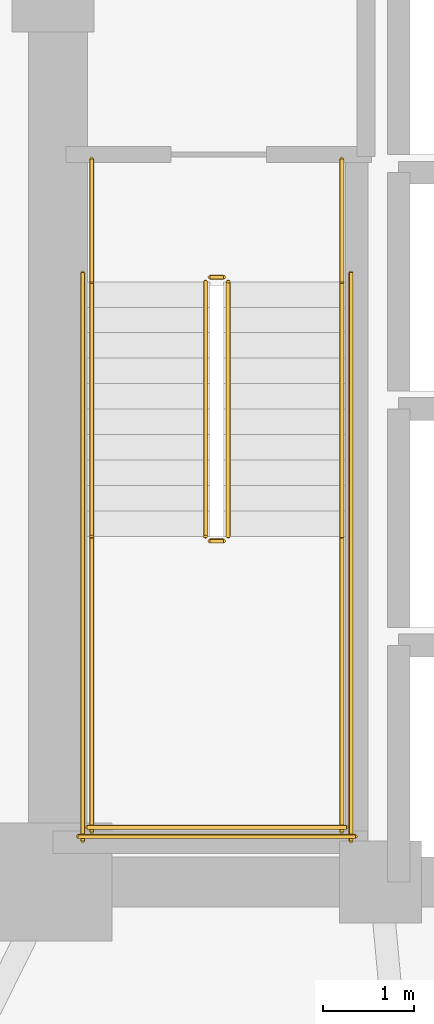
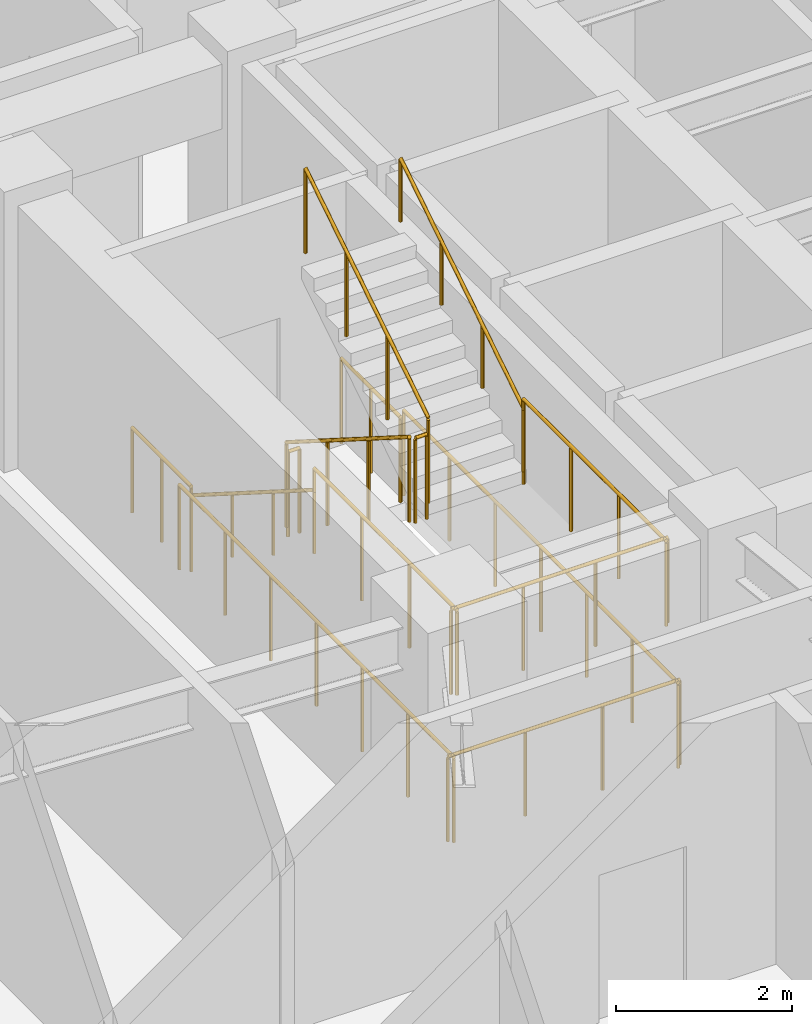
# One storey, part 11 of 12: 14 railings.
"""IFC4 building model written with IfcOpenShell, lengths in metres."""

from ifc_helpers import new_model, si_unit, direction, frame, origin, origin_2d, place, context, subcontext, project, spatial, circle, extrude, material, type_object, element, save


model = new_model("IFC4")

# Units and contexts
model_context = context("Model", 3, precision=1e-05, world=origin(), true_north=direction((0.0, 1.0)))
body_context = subcontext(model_context, "Body", "Model", "MODEL_VIEW")
ifc_project = project(units=[si_unit("LENGTHUNIT", "METRE"), si_unit("AREAUNIT", "SQUARE_METRE"), si_unit("VOLUMEUNIT", "CUBIC_METRE"), si_unit("PLANEANGLEUNIT", "RADIAN"), si_unit("MASSUNIT", "GRAM", prefix="KILO")], contexts=[model_context])

# Site, building, storey
site_placement = place(None, origin())
site = spatial("IfcSite", under=ifc_project, at=site_placement, CompositionType="ELEMENT")
building_placement = place(site_placement, origin())
building = spatial("IfcBuilding", under=site, at=building_placement, Name="Voryun Gate Residences", CompositionType="ELEMENT")
storey_placement = place(building_placement, frame((0.0, 0.0, 132.60009765625)))
storey = spatial("IfcBuildingStorey", under=building, at=storey_placement, Name="L32", CompositionType="ELEMENT", Elevation=132.60009765625)

# Railings
ifc_material_1 = material(Name="Painted steel", Category="steel")
railing_type_1 = type_object("IfcRailingType", Name="RAIL_STAIR_GUARD_1200", PredefinedType="GUARDRAIL", material=ifc_material_1)
railing_1_placement = place(storey_placement, frame((-17.52490234375, -0.800048828125, 0.17724609375)))
element("IfcRailing", 1, at=railing_1_placement, inside=storey, type_object=railing_type_1, Name="L32 ST-W1 stair guard 1", PredefinedType="GUARDRAIL", context=body_context, shape_type="SweptSolid", body=[
    extrude(circle(Radius=0.02392578125, at=origin_2d()), frame((0.0, 0.0, 1.17578125), z_axis=(0.0, -0.844908973607, 0.534910110503), x_axis=(1.0, 0.0, 0.0)), (0.0, 0.0, 1.0), 3.31396484375),
    extrude(circle(Radius=0.02099609375, at=origin_2d()), origin(), (0.0, 0.0, 1.0), 1.15185546875),
    extrude(circle(Radius=0.02099609375, at=origin_2d()), frame((0.0, -0.933349609375, 0.5908203125)), (0.0, 0.0, 1.0), 1.15185546875),
    extrude(circle(Radius=0.02099609375, at=origin_2d()), frame((0.0, -1.86669921875, 1.181884765625)), (0.0, 0.0, 1.0), 1.15185546875),
    extrude(circle(Radius=0.02099609375, at=origin_2d()), frame((0.0, -2.800048828125, 1.772705078125)), (0.0, 0.0, 1.0), 1.15185546875),
])
railing_2_placement = place(storey_placement, frame((-17.47509765625, -3.64990234375, 1.949951171875)))
element("IfcRailing", 2, at=railing_2_placement, inside=storey, type_object=railing_type_1, Name="L32 ST-W1 stair guard 2", PredefinedType="GUARDRAIL", context=body_context, shape_type="SweptSolid", body=[
    extrude(circle(Radius=0.02392578125, at=origin_2d()), frame((0.0, 0.0, 1.17578125), z_axis=(1.0, 0.0, 0.0), x_axis=(0.0, 1.0, 0.0)), (0.0, 0.0, 1.0), 0.150146484375),
    extrude(circle(Radius=0.02099609375, at=origin_2d()), origin(), (0.0, 0.0, 1.0), 1.15185546875),
    extrude(circle(Radius=0.02099609375, at=origin_2d()), frame((0.150146484375, 0.0, 0.0)), (0.0, 0.0, 1.0), 1.15185546875),
])
for number, where, name in (
    (3, (-18.77490234375, -3.60009765625, 1.949951171875), "L32 ST-W1 stair guard 3"),
    (4, (-16.02490234375, -3.60009765625, 1.949951171875), "L32 ST-W1 stair guard 4"),
):
    element("IfcRailing", number, at=place(storey_placement, frame(where)), inside=storey, type_object=railing_type_1, Name=name, PredefinedType="GUARDRAIL", context=body_context, shape_type="SweptSolid", body=[
        extrude(circle(Radius=0.02392578125, at=origin_2d()), frame((0.0, 0.0, 1.17578125), z_axis=(0.0, -1.0, 0.0), x_axis=(1.0, 0.0, 0.0)), (0.0, 0.0, 1.0), 3.25),
        extrude(circle(Radius=0.02099609375, at=origin_2d()), origin(), (0.0, 0.0, 1.0), 1.15185546875),
        extrude(circle(Radius=0.02099609375, at=origin_2d()), frame((0.0, -1.083251953125, 0.0)), (0.0, 0.0, 1.0), 1.15185546875),
        extrude(circle(Radius=0.02099609375, at=origin_2d()), frame((0.0, -2.166748046875, 0.0)), (0.0, 0.0, 1.0), 1.15185546875),
        extrude(circle(Radius=0.02099609375, at=origin_2d()), frame((0.0, -3.25, 0.0)), (0.0, 0.0, 1.0), 1.15185546875),
    ])
railing_3_placement = place(storey_placement, frame((-18.824951171875, -6.800048828125, 1.949951171875)))
element("IfcRailing", 5, at=railing_3_placement, inside=storey, type_object=railing_type_1, Name="L32 ST-W1 stair guard 5", PredefinedType="GUARDRAIL", context=body_context, shape_type="SweptSolid", body=[
    extrude(circle(Radius=0.02392578125, at=origin_2d()), frame((0.0, 0.0, 1.17578125), z_axis=(1.0, 0.0, 0.0), x_axis=(0.0, 1.0, 0.0)), (0.0, 0.0, 1.0), 2.849853515625),
    extrude(circle(Radius=0.02099609375, at=origin_2d()), origin(), (0.0, 0.0, 1.0), 1.15185546875),
    extrude(circle(Radius=0.02099609375, at=origin_2d()), frame((0.949951171875, 0.0, 0.0)), (0.0, 0.0, 1.0), 1.15185546875),
    extrude(circle(Radius=0.02099609375, at=origin_2d()), frame((1.89990234375, 0.0, 0.0)), (0.0, 0.0, 1.0), 1.15185546875),
    extrude(circle(Radius=0.02099609375, at=origin_2d()), frame((2.849853515625, 0.0, 0.0)), (0.0, 0.0, 1.0), 1.15185546875),
])
railing_4_placement = place(storey_placement, frame((-17.27490234375, -3.60009765625, 2.127197265625)))
element("IfcRailing", 6, at=railing_4_placement, inside=storey, type_object=railing_type_1, Name="L32 ST-W1 stair guard 6", PredefinedType="GUARDRAIL", context=body_context, shape_type="SweptSolid", body=[
    extrude(circle(Radius=0.02392578125, at=origin_2d()), frame((0.0, 0.0, 1.17578125), z_axis=(0.0, 0.844908973607, 0.534910110503), x_axis=(-1.0, 0.0, 0.0)), (0.0, 0.0, 1.0), 3.31396484375),
    extrude(circle(Radius=0.02099609375, at=origin_2d()), origin(), (0.0, 0.0, 1.0), 1.15185546875),
    extrude(circle(Radius=0.02099609375, at=origin_2d()), frame((0.0, 0.933349609375, 0.5908203125)), (0.0, 0.0, 1.0), 1.15185546875),
    extrude(circle(Radius=0.02099609375, at=origin_2d()), frame((0.0, 1.86669921875, 1.181884765625)), (0.0, 0.0, 1.0), 1.15185546875),
    extrude(circle(Radius=0.02099609375, at=origin_2d()), frame((0.0, 2.800048828125, 1.772705078125)), (0.0, 0.0, 1.0), 1.15185546875),
])
railing_5_placement = place(storey_placement, frame((-17.47509765625, -0.75, 0.0)))
element("IfcRailing", 7, at=railing_5_placement, inside=storey, type_object=railing_type_1, Name="L32 ST-W1 stair guard 7", PredefinedType="GUARDRAIL", context=body_context, shape_type="SweptSolid", body=[
    extrude(circle(Radius=0.02392578125, at=origin_2d()), frame((0.0, 0.0, 1.17578125), z_axis=(1.0, 0.0, 0.0), x_axis=(0.0, 1.0, 0.0)), (0.0, 0.0, 1.0), 0.150146484375),
    extrude(circle(Radius=0.02099609375, at=origin_2d()), origin(), (0.0, 0.0, 1.0), 1.15185546875),
    extrude(circle(Radius=0.02099609375, at=origin_2d()), frame((0.150146484375, 0.0, 0.0)), (0.0, 0.0, 1.0), 1.15185546875),
])
for number, where, name in (
    (8, (-18.77490234375, 0.550048828125, 0.0), "L32 ST-W1 stair guard 8"),
    (9, (-16.02490234375, 0.550048828125, 0.0), "L32 ST-W1 stair guard 9"),
):
    element("IfcRailing", number, at=place(storey_placement, frame(where)), inside=storey, type_object=railing_type_1, Name=name, PredefinedType="GUARDRAIL", context=body_context, shape_type="SweptSolid", body=[
        extrude(circle(Radius=0.02392578125, at=origin_2d()), frame((0.0, 0.0, 1.17578125), z_axis=(0.0, -1.0, 0.0), x_axis=(1.0, 0.0, 0.0)), (0.0, 0.0, 1.0), 1.35009765625),
        extrude(circle(Radius=0.02099609375, at=origin_2d()), origin(), (0.0, 0.0, 1.0), 1.15185546875),
        extrude(circle(Radius=0.02099609375, at=origin_2d()), frame((0.0, -0.675048828125, 0.0)), (0.0, 0.0, 1.0), 1.15185546875),
        extrude(circle(Radius=0.02099609375, at=origin_2d()), frame((0.0, -1.35009765625, 0.0)), (0.0, 0.0, 1.0), 1.15185546875),
    ])
for number, where, name in (
    (10, (-18.875, -0.699951171875, 0.0), "L32 ST-W1 stair guard 10"),
    (11, (-15.925048828125, -0.699951171875, 0.0), "L32 ST-W1 stair guard 11"),
):
    element("IfcRailing", number, at=place(storey_placement, frame(where)), inside=storey, type_object=railing_type_1, Name=name, PredefinedType="GUARDRAIL", context=body_context, shape_type="SweptSolid", body=[
        extrude(circle(Radius=0.02392578125, at=origin_2d()), frame((0.0, 0.0, 1.17578125), z_axis=(0.0, -1.0, 0.0), x_axis=(1.0, 0.0, 0.0)), (0.0, 0.0, 1.0), 6.25),
        extrude(circle(Radius=0.02099609375, at=origin_2d()), origin(), (0.0, 0.0, 1.0), 1.15185546875),
        extrude(circle(Radius=0.02099609375, at=origin_2d()), frame((0.0, -1.041748046875, 0.0)), (0.0, 0.0, 1.0), 1.15185546875),
        extrude(circle(Radius=0.02099609375, at=origin_2d()), frame((0.0, -2.083251953125, 0.0)), (0.0, 0.0, 1.0), 1.15185546875),
        extrude(circle(Radius=0.02099609375, at=origin_2d()), frame((0.0, -3.125, 0.0)), (0.0, 0.0, 1.0), 1.15185546875),
        extrude(circle(Radius=0.02099609375, at=origin_2d()), frame((0.0, -4.166748046875, 0.0)), (0.0, 0.0, 1.0), 1.15185546875),
        extrude(circle(Radius=0.02099609375, at=origin_2d()), frame((0.0, -5.208251953125, 0.0)), (0.0, 0.0, 1.0), 1.15185546875),
        extrude(circle(Radius=0.02099609375, at=origin_2d()), frame((0.0, -6.25, 0.0)), (0.0, 0.0, 1.0), 1.15185546875),
    ])
railing_6_placement = place(storey_placement, frame((-18.925048828125, -6.89990234375, 0.0)))
element("IfcRailing", 12, at=railing_6_placement, inside=storey, type_object=railing_type_1, Name="L32 ST-W1 stair guard 12", PredefinedType="GUARDRAIL", context=body_context, shape_type="SweptSolid", body=[
    extrude(circle(Radius=0.02392578125, at=origin_2d()), frame((0.0, 0.0, 1.17578125), z_axis=(1.0, 0.0, 0.0), x_axis=(0.0, 1.0, 0.0)), (0.0, 0.0, 1.0), 3.050048828125),
    extrude(circle(Radius=0.02099609375, at=origin_2d()), origin(), (0.0, 0.0, 1.0), 1.15185546875),
    extrude(circle(Radius=0.02099609375, at=origin_2d()), frame((1.0166015625, 0.0, 0.0)), (0.0, 0.0, 1.0), 1.15185546875),
    extrude(circle(Radius=0.02099609375, at=origin_2d()), frame((2.033447265625, 0.0, 0.0)), (0.0, 0.0, 1.0), 1.15185546875),
    extrude(circle(Radius=0.02099609375, at=origin_2d()), frame((3.050048828125, 0.0, 0.0)), (0.0, 0.0, 1.0), 1.15185546875),
])
ifc_material_2 = material(Name="Painted steel", Category="steel")
railing_type_2 = type_object("IfcRailingType", Name="RAIL_STAIR_HANDRAIL_900", PredefinedType="HANDRAIL", material=ifc_material_2)
railing_7_placement = place(storey_placement, frame((-18.77490234375, -0.800048828125, 0.17724609375)))
element("IfcRailing", 13, at=railing_7_placement, inside=storey, type_object=railing_type_2, Name="L32 ST-W1 stair handrail 1", PredefinedType="HANDRAIL", context=body_context, shape_type="SweptSolid", body=[
    extrude(circle(Radius=0.02392578125, at=origin_2d()), frame((0.0, 0.0, 0.8759765625), z_axis=(0.0, -0.844908973607, 0.534910110503), x_axis=(1.0, 0.0, 0.0)), (0.0, 0.0, 1.0), 3.31396484375),
    extrude(circle(Radius=0.02099609375, at=origin_2d()), origin(), (0.0, 0.0, 1.0), 0.851806640625),
    extrude(circle(Radius=0.02099609375, at=origin_2d()), frame((0.0, -0.933349609375, 0.5908203125)), (0.0, 0.0, 1.0), 0.851806640625),
    extrude(circle(Radius=0.02099609375, at=origin_2d()), frame((0.0, -1.86669921875, 1.181884765625)), (0.0, 0.0, 1.0), 0.851806640625),
    extrude(circle(Radius=0.02099609375, at=origin_2d()), frame((0.0, -2.800048828125, 1.772705078125)), (0.0, 0.0, 1.0), 0.851806640625),
])
railing_8_placement = place(storey_placement, frame((-16.02490234375, -3.60009765625, 2.127197265625)))
element("IfcRailing", 14, at=railing_8_placement, inside=storey, type_object=railing_type_2, Name="L32 ST-W1 stair handrail 2", PredefinedType="HANDRAIL", context=body_context, shape_type="SweptSolid", body=[
    extrude(circle(Radius=0.02392578125, at=origin_2d()), frame((0.0, 0.0, 0.8759765625), z_axis=(0.0, 0.844908973607, 0.534910110503), x_axis=(-1.0, 0.0, 0.0)), (0.0, 0.0, 1.0), 3.31396484375),
    extrude(circle(Radius=0.02099609375, at=origin_2d()), origin(), (0.0, 0.0, 1.0), 0.851806640625),
    extrude(circle(Radius=0.02099609375, at=origin_2d()), frame((0.0, 0.933349609375, 0.5908203125)), (0.0, 0.0, 1.0), 0.851806640625),
    extrude(circle(Radius=0.02099609375, at=origin_2d()), frame((0.0, 1.86669921875, 1.181884765625)), (0.0, 0.0, 1.0), 0.851806640625),
    extrude(circle(Radius=0.02099609375, at=origin_2d()), frame((0.0, 2.800048828125, 1.772705078125)), (0.0, 0.0, 1.0), 0.851806640625),
])

save(model, "model.ifc")
